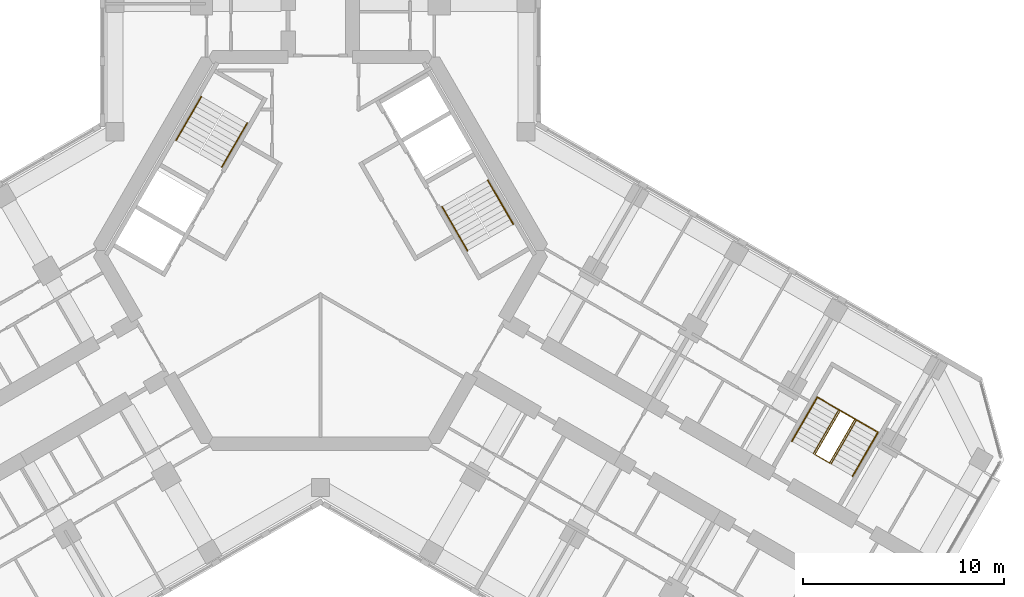
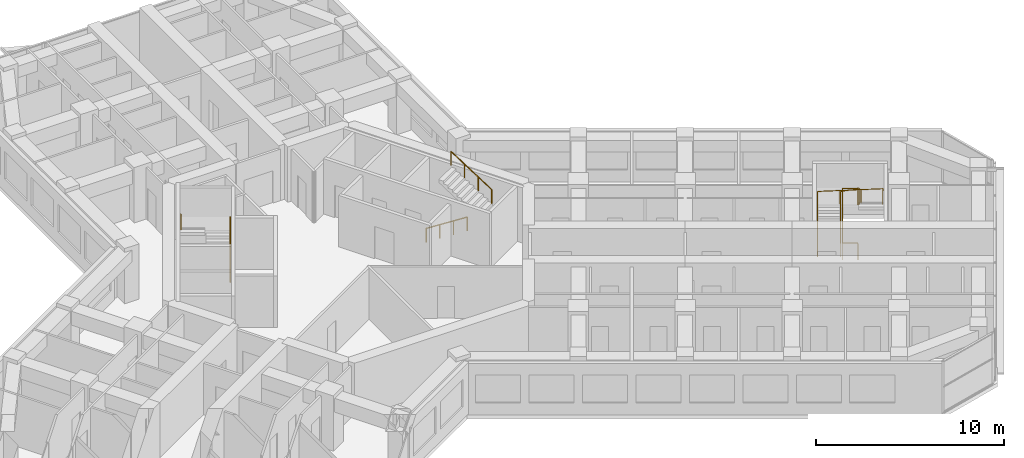
# One storey, part 16 of 16: 7 railings.
"""IFC4 building model written with IfcOpenShell, lengths in metres."""

from ifc_helpers import new_model, si_unit, direction, frame, origin, origin_2d, place, context, subcontext, project, spatial, circle, extrude, material, type_object, element, save


model = new_model("IFC4")

# Units and contexts
model_context = context("Model", 3, precision=1e-05, world=origin(), true_north=direction((0.0, 1.0)))
body_context = subcontext(model_context, "Body", "Model", "MODEL_VIEW")
ifc_project = project(units=[si_unit("LENGTHUNIT", "METRE"), si_unit("AREAUNIT", "SQUARE_METRE"), si_unit("VOLUMEUNIT", "CUBIC_METRE"), si_unit("PLANEANGLEUNIT", "RADIAN"), si_unit("MASSUNIT", "GRAM", prefix="KILO")], contexts=[model_context])

# Site, building, storey
site_placement = place(None, origin())
site = spatial("IfcSite", under=ifc_project, at=site_placement, CompositionType="ELEMENT")
building_placement = place(site_placement, origin())
building = spatial("IfcBuilding", under=site, at=building_placement, Name="Kosmar Iwan School Tower", CompositionType="ELEMENT")
storey_placement = place(building_placement, frame((0.0, 0.0, 222.60009765625)))
storey = spatial("IfcBuildingStorey", under=building, at=storey_placement, Name="L56", CompositionType="ELEMENT", Elevation=222.60009765625)

# Railings
ifc_material_1 = material(Name="Black steel", Category="steel")
railing_type_1 = type_object("IfcRailingType", Name="Stair handrail 900", PredefinedType="HANDRAIL", material=ifc_material_1)
railing_1_placement = place(storey_placement, frame((-4.89453125, 4.142333984375, 0.179931640625)))
element("IfcRailing", 1, at=railing_1_placement, inside=storey, type_object=railing_type_1, Name="Handrail ST2 flight 1", PredefinedType="HANDRAIL", context=body_context, shape_type="SweptSolid", body=[
    extrude(circle(Radius=0.02392578125, at=origin_2d()), frame((0.0, 0.0, 0.8759765625), z_axis=(0.42060268101, 0.72849590497, 0.54072830624), x_axis=(-0.866022637375, 0.500004791531, 0.0)), (0.0, 0.0, 1.0), 2.99560546875),
    extrude(circle(Radius=0.02099609375, at=origin_2d()), origin(), (0.0, 0.0, 1.0), 0.851806640625),
    extrude(circle(Radius=0.02099609375, at=origin_2d()), frame((0.419921875, 0.7275390625, 0.5400390625)), (0.0, 0.0, 1.0), 0.851806640625),
    extrude(circle(Radius=0.02099609375, at=origin_2d()), frame((0.840087890625, 1.454833984375, 1.079833984375)), (0.0, 0.0, 1.0), 0.851806640625),
    extrude(circle(Radius=0.02099609375, at=origin_2d()), frame((1.260009765625, 2.182373046875, 1.619873046875)), (0.0, 0.0, 1.0), 0.851806640625),
])
railing_2_placement = place(storey_placement, frame((-5.912353515625, 7.6396484375, 1.97998046875)))
element("IfcRailing", 2, at=railing_2_placement, inside=storey, type_object=railing_type_1, Name="Handrail ST2 flight 2", PredefinedType="HANDRAIL", context=body_context, shape_type="SweptSolid", body=[
    extrude(circle(Radius=0.02392578125, at=origin_2d()), frame((0.0, 0.0, 0.8759765625), z_axis=(-0.42060268101, -0.72849590497, 0.54072830624), x_axis=(0.866022637375, -0.500004791531, 0.0)), (0.0, 0.0, 1.0), 2.99560546875),
    extrude(circle(Radius=0.02099609375, at=origin_2d()), origin(), (0.0, 0.0, 1.0), 0.851806640625),
    extrude(circle(Radius=0.02099609375, at=origin_2d()), frame((-0.419921875, -0.7275390625, 0.5400390625)), (0.0, 0.0, 1.0), 0.851806640625),
    extrude(circle(Radius=0.02099609375, at=origin_2d()), frame((-0.840087890625, -1.454833984375, 1.079833984375)), (0.0, 0.0, 1.0), 0.851806640625),
    extrude(circle(Radius=0.02099609375, at=origin_2d()), frame((-1.260009765625, -2.182373046875, 1.619873046875)), (0.0, 0.0, 1.0), 0.851806640625),
])
railing_3_placement = place(storey_placement, frame((6.03466796875, 2.167724609375, 0.179931640625)))
element("IfcRailing", 3, at=railing_3_placement, inside=storey, type_object=railing_type_1, Name="Handrail ST1 flight 1", PredefinedType="HANDRAIL", context=body_context, shape_type="SweptSolid", body=[
    extrude(circle(Radius=0.02392578125, at=origin_2d()), frame((0.0, 0.0, 0.8759765625), z_axis=(0.42060268101, -0.72849590497, 0.54072830624), x_axis=(0.866022637375, 0.500004791531, 0.0)), (0.0, 0.0, 1.0), 2.99560546875),
    extrude(circle(Radius=0.02099609375, at=origin_2d()), origin(), (0.0, 0.0, 1.0), 0.851806640625),
    extrude(circle(Radius=0.02099609375, at=origin_2d()), frame((0.419921875, -0.7275390625, 0.5400390625)), (0.0, 0.0, 1.0), 0.851806640625),
    extrude(circle(Radius=0.02099609375, at=origin_2d()), frame((0.840087890625, -1.454833984375, 1.079833984375)), (0.0, 0.0, 1.0), 0.851806640625),
    extrude(circle(Radius=0.02099609375, at=origin_2d()), frame((1.260009765625, -2.182373046875, 1.619873046875)), (0.0, 0.0, 1.0), 0.851806640625),
])
railing_4_placement = place(storey_placement, frame((9.572265625, 1.30029296875, 1.97998046875)))
element("IfcRailing", 4, at=railing_4_placement, inside=storey, type_object=railing_type_1, Name="Handrail ST1 flight 2", PredefinedType="HANDRAIL", context=body_context, shape_type="SweptSolid", body=[
    extrude(circle(Radius=0.02392578125, at=origin_2d()), frame((0.0, 0.0, 0.8759765625), z_axis=(-0.42060268101, 0.72849590497, 0.54072830624), x_axis=(-0.866022637375, -0.500004791531, 0.0)), (0.0, 0.0, 1.0), 2.99560546875),
    extrude(circle(Radius=0.02099609375, at=origin_2d()), origin(), (0.0, 0.0, 1.0), 0.851806640625),
    extrude(circle(Radius=0.02099609375, at=origin_2d()), frame((-0.419921875, 0.7275390625, 0.5400390625)), (0.0, 0.0, 1.0), 0.851806640625),
    extrude(circle(Radius=0.02099609375, at=origin_2d()), frame((-0.840087890625, 1.454833984375, 1.079833984375)), (0.0, 0.0, 1.0), 0.851806640625),
    extrude(circle(Radius=0.02099609375, at=origin_2d()), frame((-1.260009765625, 2.182373046875, 1.619873046875)), (0.0, 0.0, 1.0), 0.851806640625),
])
railing_5_placement = place(storey_placement, frame((23.4091796875, -9.473876953125, 0.179931640625)))
element("IfcRailing", 5, at=railing_5_placement, inside=storey, type_object=railing_type_1, Name="Handrail stair WS3 L56 wall side", PredefinedType="HANDRAIL", context=body_context, shape_type="SweptSolid", body=[
    extrude(circle(Radius=0.02392578125, at=origin_2d()), frame((0.0, 0.0, 0.8759765625), z_axis=(0.42060268101, 0.72849590497, 0.54072830624), x_axis=(-0.866022637375, 0.500004791531, 0.0)), (0.0, 0.0, 1.0), 2.99560546875),
    extrude(circle(Radius=0.02392578125, at=origin_2d()), frame((1.260009765625, 2.182373046875, 2.49560546875), z_axis=(0.864878876685, -0.499310794179, 0.051703573187), x_axis=(0.499979528911, 0.866037222451, 0.0)), (0.0, 0.0, 1.0), 3.48486328125),
    extrude(circle(Radius=0.02392578125, at=origin_2d()), frame((4.27392578125, 0.4423828125, 2.67578125), z_axis=(-0.42060268101, -0.72849590497, 0.54072830624), x_axis=(0.866022637375, -0.500004791531, 0.0)), (0.0, 0.0, 1.0), 2.99560546875),
    extrude(circle(Radius=0.02099609375, at=origin_2d()), origin(), (0.0, 0.0, 1.0), 0.851806640625),
    extrude(circle(Radius=0.02099609375, at=origin_2d()), frame((0.419921875, 0.7275390625, 0.5400390625)), (0.0, 0.0, 1.0), 0.851806640625),
    extrude(circle(Radius=0.02099609375, at=origin_2d()), frame((0.840087890625, 1.454833984375, 1.079833984375)), (0.0, 0.0, 1.0), 0.851806640625),
    extrude(circle(Radius=0.02099609375, at=origin_2d()), frame((1.260009765625, 2.182373046875, 1.619873046875)), (0.0, 0.0, 1.0), 0.851806640625),
    extrude(circle(Radius=0.02099609375, at=origin_2d()), frame((2.2646484375, 1.602294921875, 1.679931640625)), (0.0, 0.0, 1.0), 0.851806640625),
    extrude(circle(Radius=0.02099609375, at=origin_2d()), frame((3.269287109375, 1.0224609375, 1.739990234375)), (0.0, 0.0, 1.0), 0.851806640625),
    extrude(circle(Radius=0.02099609375, at=origin_2d()), frame((4.27392578125, 0.4423828125, 1.800048828125)), (0.0, 0.0, 1.0), 0.851806640625),
    extrude(circle(Radius=0.02099609375, at=origin_2d()), frame((3.85400390625, -0.28515625, 2.340087890625)), (0.0, 0.0, 1.0), 0.851806640625),
    extrude(circle(Radius=0.02099609375, at=origin_2d()), frame((3.433837890625, -1.012451171875, 2.8798828125)), (0.0, 0.0, 1.0), 0.851806640625),
    extrude(circle(Radius=0.02099609375, at=origin_2d()), frame((3.013916015625, -1.739990234375, 3.419921875)), (0.0, 0.0, 1.0), 0.851806640625),
])
railing_6_placement = place(storey_placement, frame((24.474609375, -10.0888671875, 0.179931640625)))
element("IfcRailing", 6, at=railing_6_placement, inside=storey, type_object=railing_type_1, Name="Handrail stair WS3 L56 well side", PredefinedType="HANDRAIL", context=body_context, shape_type="SweptSolid", body=[
    extrude(circle(Radius=0.02392578125, at=origin_2d()), frame((0.0, 0.0, 0.8759765625), z_axis=(0.42060268101, 0.72849590497, 0.54072830624), x_axis=(-0.866022637375, 0.500004791531, 0.0)), (0.0, 0.0, 1.0), 2.99560546875),
    extrude(circle(Radius=0.02392578125, at=origin_2d()), frame((1.260009765625, 2.182373046875, 2.49560546875), z_axis=(0.852806573049, -0.492402689635, 0.173955569627), x_axis=(0.500026340207, 0.866010195725, 0.0)), (0.0, 0.0, 1.0), 1.03564453125),
    extrude(circle(Radius=0.02392578125, at=origin_2d()), frame((2.143310546875, 1.67236328125, 2.67578125), z_axis=(-0.42060268101, -0.72849590497, 0.54072830624), x_axis=(0.866022637375, -0.500004791531, 0.0)), (0.0, 0.0, 1.0), 2.99560546875),
    extrude(circle(Radius=0.02099609375, at=origin_2d()), origin(), (0.0, 0.0, 1.0), 0.851806640625),
    extrude(circle(Radius=0.02099609375, at=origin_2d()), frame((0.419921875, 0.7275390625, 0.5400390625)), (0.0, 0.0, 1.0), 0.851806640625),
    extrude(circle(Radius=0.02099609375, at=origin_2d()), frame((0.840087890625, 1.454833984375, 1.079833984375)), (0.0, 0.0, 1.0), 0.851806640625),
    extrude(circle(Radius=0.02099609375, at=origin_2d()), frame((1.260009765625, 2.182373046875, 1.619873046875)), (0.0, 0.0, 1.0), 0.851806640625),
    extrude(circle(Radius=0.02099609375, at=origin_2d()), frame((2.143310546875, 1.67236328125, 1.800048828125)), (0.0, 0.0, 1.0), 0.851806640625),
    extrude(circle(Radius=0.02099609375, at=origin_2d()), frame((1.723388671875, 0.94482421875, 2.340087890625)), (0.0, 0.0, 1.0), 0.851806640625),
    extrude(circle(Radius=0.02099609375, at=origin_2d()), frame((1.30322265625, 0.217529296875, 2.8798828125)), (0.0, 0.0, 1.0), 0.851806640625),
    extrude(circle(Radius=0.02099609375, at=origin_2d()), frame((0.88330078125, -0.510009765625, 3.419921875)), (0.0, 0.0, 1.0), 0.851806640625),
])
ifc_material_2 = material(Name="Black steel", Category="steel")
railing_type_2 = type_object("IfcRailingType", Name="Stair well guard 1100", PredefinedType="GUARDRAIL", material=ifc_material_2)
railing_7_placement = place(storey_placement, frame((25.280029296875, -10.553955078125, 0.0)))
element("IfcRailing", 7, at=railing_7_placement, inside=storey, type_object=railing_type_2, Name="Stair WS3 L56 well guard", PredefinedType="GUARDRAIL", context=body_context, shape_type="SweptSolid", body=[
    extrude(circle(Radius=0.02392578125, at=origin_2d()), frame((0.0, 0.0, 1.076171875), z_axis=(-0.865962960534, 0.500108139288, 0.0), x_axis=(-0.500108139288, -0.865962960534, 0.0)), (0.0, 0.0, 1.0), 0.840087890625),
    extrude(circle(Radius=0.02392578125, at=origin_2d()), frame((-0.7275390625, 0.420166015625, 1.076171875), z_axis=(0.406885297737, 0.704737003773, 0.581197135229), x_axis=(-0.866022637375, 0.500004791531, 0.0)), (0.0, 0.0, 1.0), 3.0966796875),
    extrude(circle(Radius=0.02392578125, at=origin_2d()), frame((0.532470703125, 2.6025390625, 2.8759765625), z_axis=(0.865890253765, -0.500234013672, 0.0), x_axis=(0.500234013672, 0.865890253765, 0.0)), (0.0, 0.0, 1.0), 0.83984375),
    extrude(circle(Radius=0.02392578125, at=origin_2d()), frame((1.259765625, 2.182373046875, 2.8759765625), z_axis=(-0.406800866334, -0.70472731476, 0.58126798207), x_axis=(0.866064587494, -0.499932125682, 0.0)), (0.0, 0.0, 1.0), 3.0966796875),
    extrude(circle(Radius=0.02099609375, at=origin_2d()), origin(), (0.0, 0.0, 1.0), 1.052001953125),
    extrude(circle(Radius=0.02099609375, at=origin_2d()), frame((-0.7275390625, 0.420166015625, 0.0)), (0.0, 0.0, 1.0), 1.052001953125),
    extrude(circle(Radius=0.02099609375, at=origin_2d()), frame((-0.3076171875, 1.147705078125, 0.599853515625)), (0.0, 0.0, 1.0), 1.052001953125),
    extrude(circle(Radius=0.02099609375, at=origin_2d()), frame((0.112548828125, 1.875, 1.199951171875)), (0.0, 0.0, 1.0), 1.052001953125),
    extrude(circle(Radius=0.02099609375, at=origin_2d()), frame((0.532470703125, 2.6025390625, 1.7998046875)), (0.0, 0.0, 1.0), 1.052001953125),
    extrude(circle(Radius=0.02099609375, at=origin_2d()), frame((1.259765625, 2.182373046875, 1.7998046875)), (0.0, 0.0, 1.0), 1.052001953125),
    extrude(circle(Radius=0.02099609375, at=origin_2d()), frame((0.83984375, 1.454833984375, 2.39990234375)), (0.0, 0.0, 1.0), 1.052001953125),
    extrude(circle(Radius=0.02099609375, at=origin_2d()), frame((0.419921875, 0.7275390625, 2.999755859375)), (0.0, 0.0, 1.0), 1.052001953125),
    extrude(circle(Radius=0.02099609375, at=origin_2d()), frame((0.0, 0.0, 3.599853515625)), (0.0, 0.0, 1.0), 1.052001953125),
])

save(model, "model.ifc")
